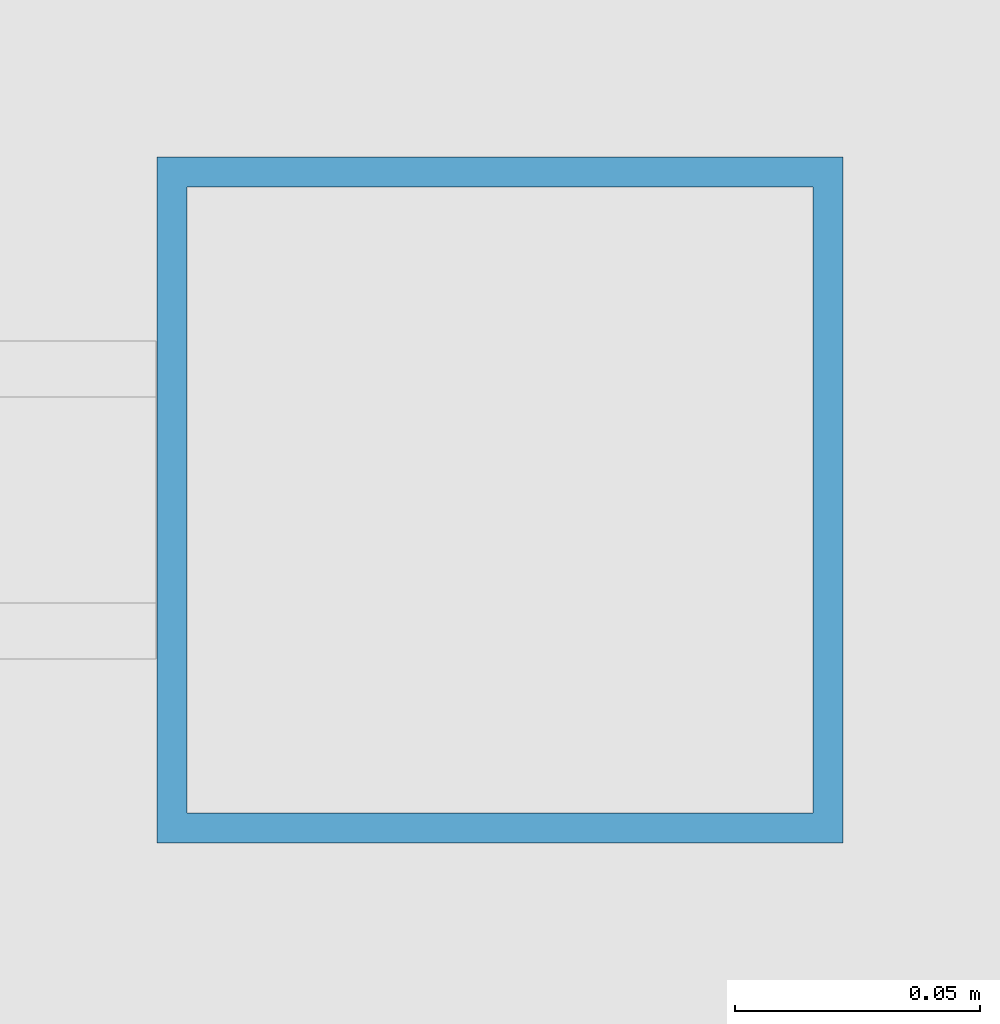
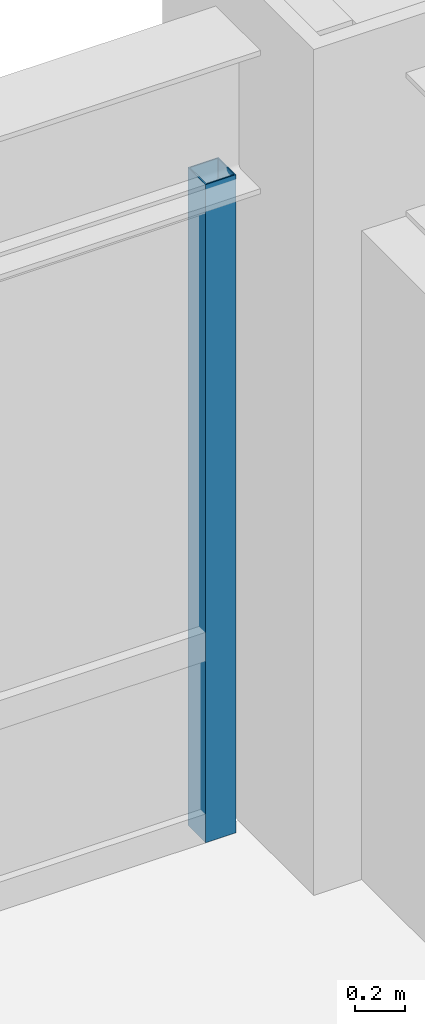
# One storey, part 21 of 27: 1 member, 1 element without a shape of its own.
"""IFC4 building model written with IfcOpenShell, lengths in metres."""

from ifc_helpers import new_model, si_unit, direction, frame, origin, origin_2d, place, context, subcontext, project, spatial, hollow_rectangle, extrude, source, transform, mapped, material, material_profile, profile_set, type_object, element, aggregate, save


model = new_model("IFC4")

# Units and contexts
model_context = context("Model", 3, precision=1e-05, world=origin(), true_north=direction((0.0, 1.0)))
body_context = subcontext(model_context, "Body", "Model", "MODEL_VIEW")
ifc_project = project(units=[si_unit("LENGTHUNIT", "METRE"), si_unit("AREAUNIT", "SQUARE_METRE"), si_unit("VOLUMEUNIT", "CUBIC_METRE"), si_unit("PLANEANGLEUNIT", "RADIAN"), si_unit("MASSUNIT", "GRAM", prefix="KILO")], contexts=[model_context])

# Site, building, storey
site_placement = place(None, origin())
site = spatial("IfcSite", under=ifc_project, at=site_placement, CompositionType="ELEMENT")
building_placement = place(site_placement, origin())
building = spatial("IfcBuilding", under=site, at=building_placement, Name="Khorayat Bourse Tower", CompositionType="ELEMENT")
storey_placement = place(building_placement, frame((0.0, 0.0, 140.60009765625)))
storey = spatial("IfcBuildingStorey", under=building, at=storey_placement, Name="L32", CompositionType="ELEMENT", Elevation=140.60009765625)

# Curtain wall, member
ifc_material = material(Name="Aluminium EN AW-6063 T6", Category="aluminium")
curtain_wall_type = type_object("IfcCurtainWallType", Name="CW-SYS-02", PredefinedType="NOTDEFINED", material=ifc_material)
curtain_wall_placement = place(storey_placement, origin())
curtain_wall = element("IfcCurtainWall", 1, at=curtain_wall_placement, inside=storey, type_object=curtain_wall_type, Name="L32 Curtain Wall CW-L32-N1", PredefinedType="NOTDEFINED")
ifc_material_profile = material_profile(ifc_material, hollow_rectangle(XDim=0.139892578125, YDim=0.139892578125, WallThickness=0.006103515625, at=origin_2d()), Name="ALU 140x140x6")
ifc_profile_set = profile_set([ifc_material_profile], Name="Aluminium EN AW-6063 T6")
member_type = type_object("IfcMemberType", Name="CWM-VERT-140", PredefinedType="MULLION", material=ifc_profile_set)
shared_shape = source(origin(), body_context, "Body", "SweptSolid", [
    extrude(hollow_rectangle(XDim=0.139892578125, YDim=0.139892578125, WallThickness=0.006103515625, at=origin_2d()), origin(), (0.0, 0.0, 1.0), 3.18994140625),
])
member_placement = place(storey_placement, frame((27.280029296875, 32.0, 0.0), z_axis=(0.0, 0.0, 1.0), x_axis=(0.0, 1.0, 0.0)))
member = element("IfcMember", 2, at=member_placement, type_object=member_type, Name="CW-L32-N1 Vertical Mullion 3", PredefinedType="MULLION", context=body_context, shape_type="MappedRepresentation", body=[
    mapped(shared_shape, transform((0.0, 0.0, 0.0), scale=1.0)),
])
aggregate(curtain_wall, [member])

save(model, "model.ifc")
